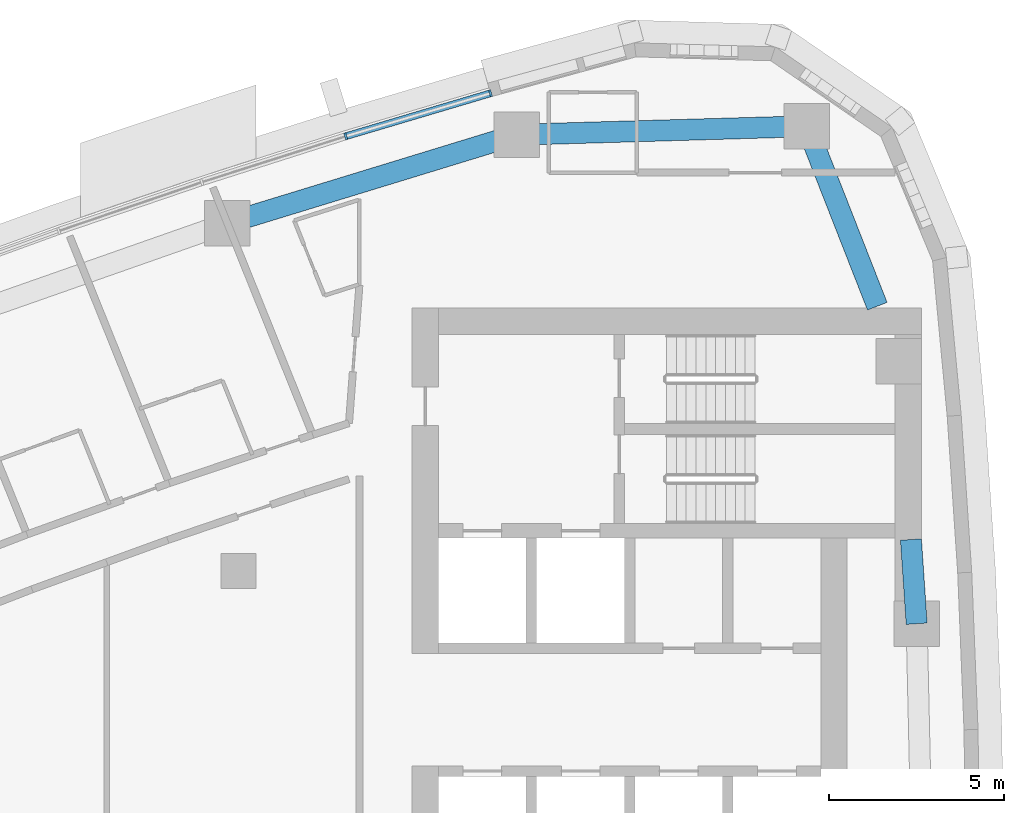
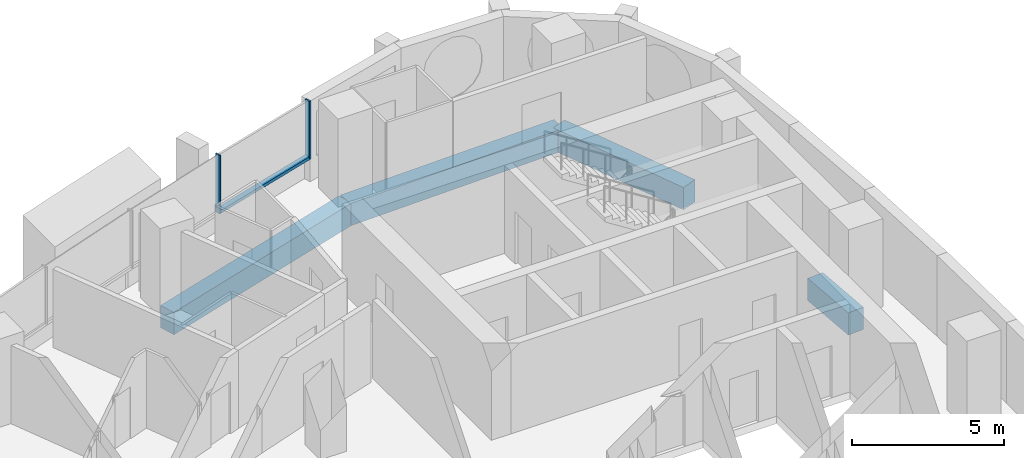
# One storey, part 7 of 17: 4 beams, 3 members, 1 element without a shape of its own.
"""IFC4 building model written with IfcOpenShell, lengths in metres."""

from ifc_helpers import new_model, si_unit, direction, frame, origin, origin_2d, place, context, subcontext, project, spatial, rectangle, extrude, material, layer, layer_set, material_profile, profile_set, type_object, element, aggregate, save


model = new_model("IFC4")

# Units and contexts
model_context = context("Model", 3, precision=1e-05, world=origin(), true_north=direction((0.0, 1.0)))
body_context = subcontext(model_context, "Body", "Model", "MODEL_VIEW")
ifc_project = project(units=[si_unit("LENGTHUNIT", "METRE"), si_unit("AREAUNIT", "SQUARE_METRE"), si_unit("VOLUMEUNIT", "CUBIC_METRE"), si_unit("PLANEANGLEUNIT", "RADIAN"), si_unit("MASSUNIT", "GRAM", prefix="KILO")], contexts=[model_context])

# Site, building, storey
site_placement = place(None, origin())
site = spatial("IfcSite", under=ifc_project, at=site_placement, CompositionType="ELEMENT")
building_placement = place(site_placement, origin())
building = spatial("IfcBuilding", under=site, at=building_placement, Name="Ostrand Prow Hotel Tower", CompositionType="ELEMENT")
storey_placement = place(building_placement, frame((0.0, 0.0, 207.449951171875)))
storey = spatial("IfcBuildingStorey", under=building, at=storey_placement, Name="L52", CompositionType="ELEMENT", Elevation=207.449951171875)

# Beams
ifc_material_1 = material(Name="Concrete C60/75", Category="concrete")
ifc_material_profile_1 = material_profile(ifc_material_1, rectangle(XDim=0.60009765625, YDim=0.89990234375, at=origin_2d()), Name="RC 600x900")
ifc_profile_set_1 = profile_set([ifc_material_profile_1], Name="Concrete C60/75")
beam_type = type_object("IfcBeamType", Name="Edge beam 600x900 C60/75", PredefinedType="SPANDREL", material=ifc_profile_set_1)
beam_1_placement = place(storey_placement, frame((64.330322265625, 7.499267578125, -0.75), z_axis=(-0.067778284608, 0.997700408006, 0.0), x_axis=(-0.997700408006, -0.067778284608, 0.0)))
element("IfcBeam", 1, at=beam_1_placement, inside=storey, type_object=beam_type, Name="Edge beam B4-B5", PredefinedType="SPANDREL", context=body_context, shape_type="SweptSolid", body=[
    extrude(rectangle(XDim=0.60009765625, YDim=0.89990234375, at=origin_2d()), origin(), (0.0, 0.0, 1.0), 2.40625),
])
beam_2_placement = place(storey_placement, frame((63.2080078125, 16.550048828125, -0.75), z_axis=(-0.364802049817, 0.931085100541, 0.0), x_axis=(-0.931085100541, -0.364802049817, 0.0)))
element("IfcBeam", 2, at=beam_2_placement, inside=storey, type_object=beam_type, Name="Edge beam B5-NE", PredefinedType="SPANDREL", context=body_context, shape_type="SweptSolid", body=[
    extrude(rectangle(XDim=0.60009765625, YDim=0.89990234375, at=origin_2d()), origin(), (0.0, 0.0, 1.0), 5.508544921875),
])
beam_3_placement = place(storey_placement, frame((61.198486328125, 21.678955078125, -0.75), z_axis=(-0.999575901438, -0.029120735993, 0.0), x_axis=(0.029120735993, -0.999575901438, 0.0)))
element("IfcBeam", 3, at=beam_3_placement, inside=storey, type_object=beam_type, Name="Edge beam NE-N1", PredefinedType="SPANDREL", context=body_context, shape_type="SweptSolid", body=[
    extrude(rectangle(XDim=0.60009765625, YDim=0.89990234375, at=origin_2d()), origin(), (0.0, 0.0, 1.0), 8.274658203125),
])
beam_4_placement = place(storey_placement, frame((52.92724609375, 21.43798828125, -0.75), z_axis=(-0.956245556413, -0.292565267659, 0.0), x_axis=(0.292565267659, -0.956245556413, 0.0)))
element("IfcBeam", 4, at=beam_4_placement, inside=storey, type_object=beam_type, Name="Edge beam N1-N2", PredefinedType="SPANDREL", context=body_context, shape_type="SweptSolid", body=[
    extrude(rectangle(XDim=0.60009765625, YDim=0.89990234375, at=origin_2d()), origin(), (0.0, 0.0, 1.0), 8.621826171875),
])

# Curtain wall, members
ifc_material_2 = material(Name="Insulated glass in bronze anodised frame", Category="glass")
ifc_layer = layer(ifc_material_2, 0.199951171875)
ifc_layer_set = layer_set([ifc_layer], Name="Insulated glass in bronze anodised frame")
curtain_wall_type = type_object("IfcCurtainWallType", Name="Strip curtain wall, fritted glass over bronze spandrel", PredefinedType="NOTDEFINED", material=ifc_layer_set)
curtain_wall_placement = place(storey_placement, origin())
curtain_wall = element("IfcCurtainWall", 5, at=curtain_wall_placement, inside=storey, type_object=curtain_wall_type, Name="CW1 run CWN1", PredefinedType="NOTDEFINED")
ifc_material_3 = material(Name="Bronze anodised aluminium", Category="aluminium")
ifc_material_profile_2 = material_profile(ifc_material_3, rectangle(XDim=0.199951171875, YDim=0.06005859375, at=origin_2d()), Name="Mullion 60x200 bronze anodised aluminium")
ifc_profile_set_2 = profile_set([ifc_material_profile_2], Name="Bronze anodised aluminium")
member_type_1 = type_object("IfcMemberType", Name="Mullion 60x200 bronze anodised aluminium", PredefinedType="MULLION", material=ifc_profile_set_2)
member_1_placement = place(storey_placement, frame((52.182373046875, 22.619384765625, 0.900146484375), z_axis=(0.0, 0.0, 1.0), x_axis=(0.284544113619, -0.958662947758, 0.0)))
member_1 = element("IfcMember", 6, at=member_1_placement, type_object=member_type_1, Name="CW1 mullion 1", PredefinedType="MULLION", context=body_context, shape_type="SweptSolid", body=[
    extrude(rectangle(XDim=0.199951171875, YDim=0.06005859375, at=origin_2d()), origin(), (0.0, 0.0, 1.0), 2.349853515625),
])
member_2_placement = place(storey_placement, frame((48.055419921875, 21.39453125, 0.900146484375), z_axis=(0.0, 0.0, 1.0), x_axis=(0.303786970008, -0.952739983864, 0.0)))
member_2 = element("IfcMember", 7, at=member_2_placement, type_object=member_type_1, Name="CW1 mullion 2", PredefinedType="MULLION", context=body_context, shape_type="SweptSolid", body=[
    extrude(rectangle(XDim=0.199951171875, YDim=0.06005859375, at=origin_2d()), origin(), (0.0, 0.0, 1.0), 2.349853515625),
])
ifc_material_4 = material(Name="Bronze anodised aluminium", Category="aluminium")
ifc_material_profile_3 = material_profile(ifc_material_4, rectangle(XDim=0.199951171875, YDim=0.1201171875, at=origin_2d()), Name="Transom 120x200 bronze anodised aluminium")
ifc_profile_set_3 = profile_set([ifc_material_profile_3], Name="Bronze anodised aluminium")
member_type_2 = type_object("IfcMemberType", Name="Transom 120x200 bronze anodised aluminium", PredefinedType="USERDEFINED", material=ifc_profile_set_3)
member_3_placement = place(storey_placement, frame((52.15380859375, 22.611083984375, 0.9599609375), z_axis=(-0.958661084062, -0.284550392558, 0.0), x_axis=(0.284550392558, -0.958661084062, 0.0)))
member_3 = element("IfcMember", 8, at=member_3_placement, type_object=member_type_2, Name="CW1 transom 1.1", ObjectType="TRANSOM", PredefinedType="USERDEFINED", context=body_context, shape_type="SweptSolid", body=[
    extrude(rectangle(XDim=0.199951171875, YDim=0.1201171875, at=origin_2d()), origin(), (0.0, 0.0, 1.0), 4.245361328125),
])
aggregate(curtain_wall, [member_1, member_2, member_3])

save(model, "model.ifc")
